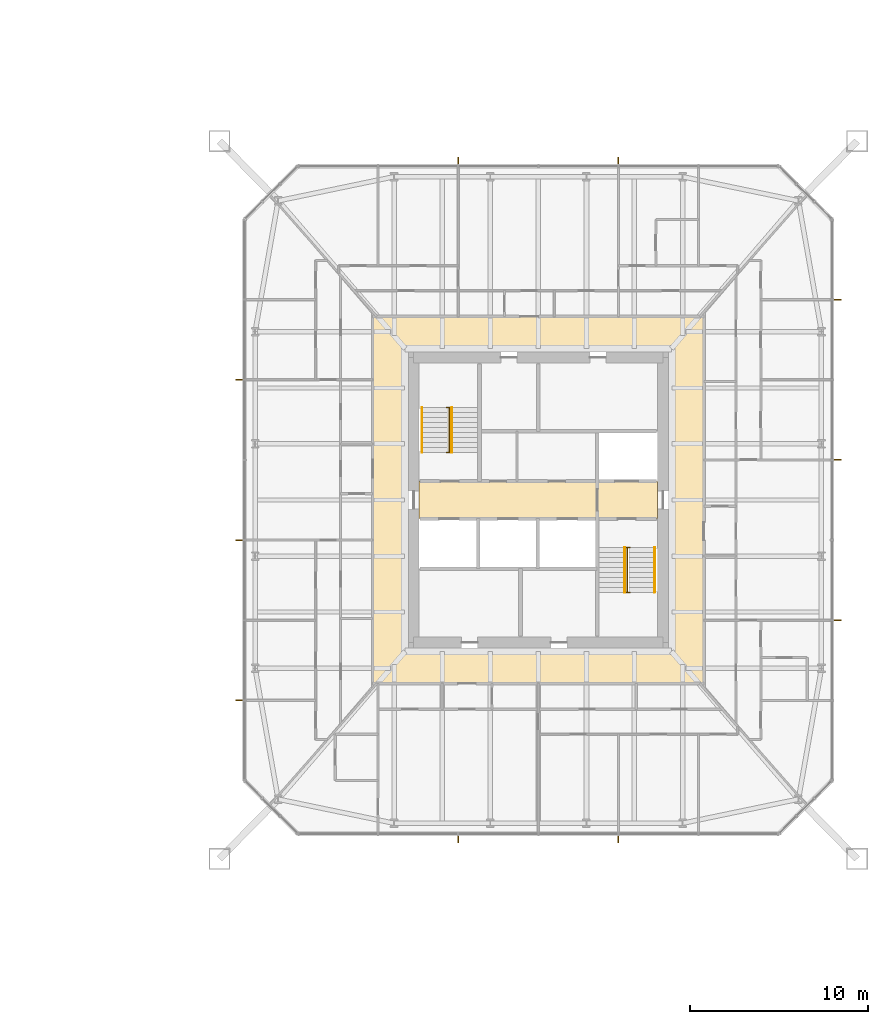
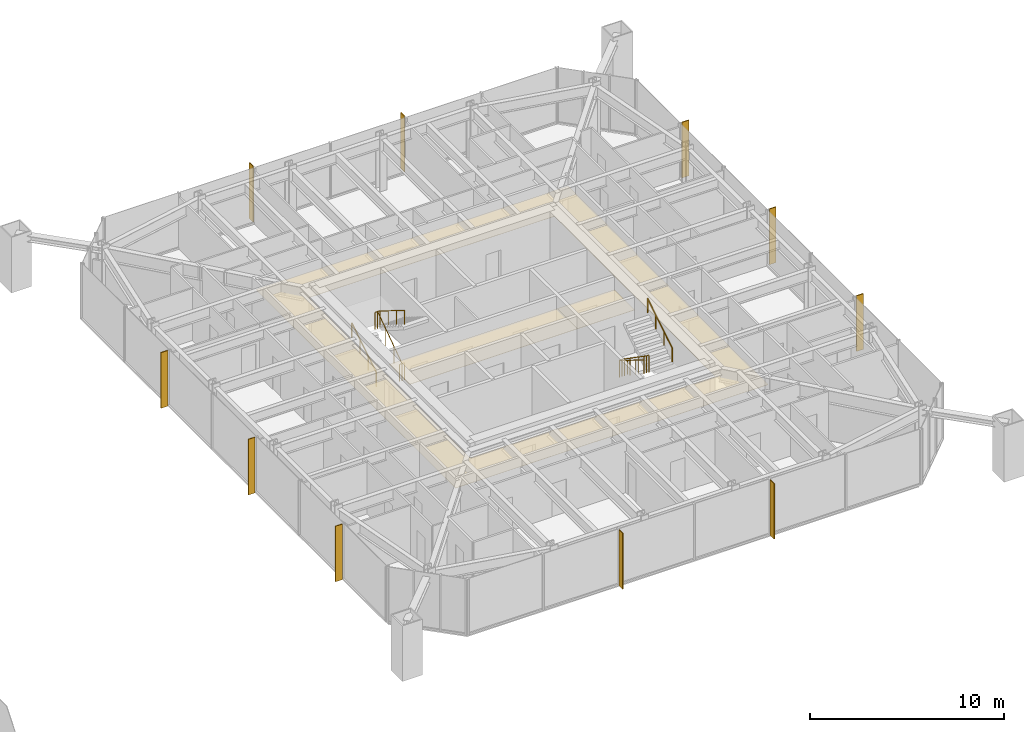
# One storey, part 26 of 26: 10 shading devices, 6 railings, 3 coverings.
"""IFC4 building model written with IfcOpenShell, lengths in metres."""

from ifc_helpers import new_model, si_unit, direction, frame, origin, origin_2d, place, context, subcontext, project, spatial, polyline, rectangle, circle, outline, extrude, material, layer, layer_set, constituent, constituent_set, type_object, element, save


model = new_model("IFC4")

# Units and contexts
model_context = context("Model", 3, precision=1e-05, world=origin(), true_north=direction((0.0, 1.0)))
body_context = subcontext(model_context, "Body", "Model", "MODEL_VIEW")
ifc_project = project(units=[si_unit("LENGTHUNIT", "METRE"), si_unit("AREAUNIT", "SQUARE_METRE"), si_unit("VOLUMEUNIT", "CUBIC_METRE"), si_unit("PLANEANGLEUNIT", "RADIAN"), si_unit("MASSUNIT", "GRAM", prefix="KILO")], contexts=[model_context])

# Site, building, storey
site_placement = place(None, origin())
site = spatial("IfcSite", under=ifc_project, at=site_placement, CompositionType="ELEMENT")
building_placement = place(site_placement, origin())
building = spatial("IfcBuilding", under=site, at=building_placement, Name="Iwan Alto Co-Living Towers", CompositionType="ELEMENT")
storey_placement = place(building_placement, frame((0.0, 0.0, 32.5)))
storey = spatial("IfcBuildingStorey", under=building, at=storey_placement, Name="L08", CompositionType="ELEMENT", Elevation=32.5)

# Coverings
ifc_material_1 = material(Name="Mineral fibre acoustic tiles on steel grid", Category="steel")
ifc_layer_1 = layer(ifc_material_1, 0.02001953125)
ifc_layer_set_1 = layer_set([ifc_layer_1], Name="ACOUSTIC TILE CEILING 20")
covering_type_1 = type_object("IfcCoveringType", Name="ACOUSTIC TILE CEILING 20", PredefinedType="CEILING", material=ifc_layer_set_1)
covering_1_placement = place(storey_placement, frame((0.0, 0.0, 2.60009765625)))
element("IfcCovering", 1, at=covering_1_placement, inside=storey, type_object=covering_type_1, Name="Ceiling Lift lobby L08", PredefinedType="CEILING", context=body_context, shape_type="SweptSolid", body=[
    extrude(outline(polyline([(56.300048828125, -1.050048828125), (56.300048828125, 1.050048828125), (66.300048828125, 1.050048828125), (66.300048828125, -1.050048828125), (56.300048828125, -1.050048828125)])), origin(), (0.0, 0.0, 1.0), 0.02001953125),
])
covering_2_placement = place(storey_placement, frame((0.0, 0.0, 2.60009765625)))
element("IfcCovering", 2, at=covering_2_placement, inside=storey, type_object=covering_type_1, Name="Ceiling Firefighting lobby L08", PredefinedType="CEILING", context=body_context, shape_type="SweptSolid", body=[
    extrude(outline(polyline([(66.300048828125, -1.050048828125), (66.300048828125, 1.050048828125), (69.699951171875, 1.050048828125), (69.699951171875, -1.050048828125), (66.300048828125, -1.050048828125)])), origin(), (0.0, 0.0, 1.0), 0.02001953125),
])

# Shading devices
ifc_material_2 = material(Name="Aluminium 6063-T6 bronze anodised", Category="aluminium")
ifc_layer_2 = layer(ifc_material_2, 0.050048828125)
ifc_layer_set_2 = layer_set([ifc_layer_2], Name="BRONZE FIN 50X400")
shading_device_type = type_object("IfcShadingDeviceType", Name="BRONZE FIN 50X400", PredefinedType="USERDEFINED", material=ifc_layer_set_2)
for number, where, z_axis, x_axis, name in (
    (3, (58.5, -19.050048828125, 0.0), (0.0, 0.0, 1.0), (1.0, 0.0, 0.0), "Bronze fin L08"),
    (4, (67.5, -19.050048828125, 0.0), (0.0, 0.0, 1.0), (1.0, 0.0, 0.0), "Bronze fin L08"),
    (5, (79.800048828125, -6.75, 0.0), (0.0, 0.0, 1.0), (0.0, 1.0, 0.0), "Bronze fin L08"),
    (6, (79.800048828125, 2.25, 0.0), (0.0, 0.0, 1.0), (0.0, 1.0, 0.0), "Bronze fin L08"),
    (7, (79.800048828125, 11.25, 0.0), (0.0, 0.0, 1.0), (0.0, 1.0, 0.0), "Bronze fin L08"),
    (8, (67.5, 19.050048828125, 0.0), (0.0, 0.0, 1.0), (-1.0, 0.0, 0.0), "Bronze fin L08"),
    (9, (58.5, 19.050048828125, 0.0), (0.0, 0.0, 1.0), (-1.0, 0.0, 0.0), "Bronze fin L08"),
    (10, (46.199951171875, 6.75, 0.0), (0.0, 0.0, 1.0), (0.0, -1.0, 0.0), "Bronze fin L08"),
    (11, (46.199951171875, -2.25, 0.0), (0.0, 0.0, 1.0), (0.0, -1.0, 0.0), "Bronze fin L08"),
    (12, (46.199951171875, -11.25, 0.0), (0.0, 0.0, 1.0), (0.0, -1.0, 0.0), "Bronze fin L08"),
):
    element("IfcShadingDevice", number, at=place(storey_placement, frame(where, z_axis=z_axis, x_axis=x_axis)), inside=storey, type_object=shading_device_type, Name=name, ObjectType="LOUVER", PredefinedType="USERDEFINED", context=body_context, shape_type="SweptSolid", body=[
        extrude(rectangle(XDim=0.050048828125, YDim=0.39990234375, at=origin_2d()), origin(), (0.0, 0.0, 1.0), 3.5),
    ])

# Railings
ifc_material_3 = material(Name="Steel ASTM A500 Gr C", Category="steel")
ifc_constituent_1 = constituent(ifc_material_3, Name="Rails and posts", Category="Framing")
ifc_material_4 = material(Name="Steel ASTM A36", Category="steel")
ifc_constituent_2 = constituent(ifc_material_4, Name="Bar infill", Category="Infill")
ifc_constituent_set = constituent_set(constituents=[ifc_constituent_1, ifc_constituent_2], Name="STAIR GUARD 1100")
railing_type_1 = type_object("IfcRailingType", Name="STAIR GUARD 1100", PredefinedType="GUARDRAIL", material=ifc_constituent_set)
railing_1_placement = place(storey_placement, frame((58.0, 2.669921875, 0.0)))
element("IfcRailing", 13, at=railing_1_placement, inside=storey, type_object=railing_type_1, Name="Stair T2-S1 well guard L08", PredefinedType="GUARDRAIL", context=body_context, shape_type="SweptSolid", body=[
    extrude(circle(Radius=0.02392578125, at=origin_2d()), frame((0.0, 0.0, 1.076171875), z_axis=(0.0, 0.821372036852, 0.570392826987), x_axis=(-1.0, 0.0, 0.0)), (0.0, 0.0, 1.0), 3.068115234375),
    extrude(circle(Radius=0.02392578125, at=origin_2d()), frame((-0.14990234375, 0.0, 1.076171875), z_axis=(1.0, 0.0, 0.0), x_axis=(0.0, 1.0, 0.0)), (0.0, 0.0, 1.0), 0.2998046875),
    extrude(circle(Radius=0.02392578125, at=origin_2d()), frame((-0.14990234375, 2.52001953125, 2.826171875), z_axis=(1.0, 0.0, 0.0), x_axis=(0.0, 1.0, 0.0)), (0.0, 0.0, 1.0), 0.2998046875),
    extrude(circle(Radius=0.02099609375, at=origin_2d()), origin(), (0.0, 0.0, 1.0), 1.052001953125),
    extrude(circle(Radius=0.02099609375, at=origin_2d()), frame((0.0, 0.840087890625, 0.583251953125)), (0.0, 0.0, 1.0), 1.052001953125),
    extrude(circle(Radius=0.02099609375, at=origin_2d()), frame((0.0, 1.679931640625, 1.166748046875)), (0.0, 0.0, 1.0), 1.052001953125),
    extrude(circle(Radius=0.02099609375, at=origin_2d()), frame((0.0, 2.52001953125, 1.75)), (0.0, 0.0, 1.0), 1.052001953125),
    extrude(circle(Radius=0.02099609375, at=origin_2d()), frame((-0.14990234375, 0.0, 0.0)), (0.0, 0.0, 1.0), 1.052001953125),
    extrude(circle(Radius=0.02099609375, at=origin_2d()), frame((0.14990234375, 0.0, 0.0)), (0.0, 0.0, 1.0), 1.052001953125),
    extrude(circle(Radius=0.02099609375, at=origin_2d()), frame((-0.14990234375, 2.52001953125, 1.75)), (0.0, 0.0, 1.0), 1.052001953125),
    extrude(circle(Radius=0.02099609375, at=origin_2d()), frame((0.14990234375, 2.52001953125, 1.75)), (0.0, 0.0, 1.0), 1.052001953125),
])
railing_2_placement = place(storey_placement, frame((68.0, -2.669921875, 0.0)))
element("IfcRailing", 14, at=railing_2_placement, inside=storey, type_object=railing_type_1, Name="Stair T2-S2 well guard L08", PredefinedType="GUARDRAIL", context=body_context, shape_type="SweptSolid", body=[
    extrude(circle(Radius=0.02392578125, at=origin_2d()), frame((0.0, 0.0, 1.076171875), z_axis=(0.0, -0.821372036852, 0.570392826987), x_axis=(1.0, 0.0, 0.0)), (0.0, 0.0, 1.0), 3.068115234375),
    extrude(circle(Radius=0.02392578125, at=origin_2d()), frame((-0.14990234375, 0.0, 1.076171875), z_axis=(1.0, 0.0, 0.0), x_axis=(0.0, 1.0, 0.0)), (0.0, 0.0, 1.0), 0.2998046875),
    extrude(circle(Radius=0.02392578125, at=origin_2d()), frame((-0.14990234375, -2.52001953125, 2.826171875), z_axis=(1.0, 0.0, 0.0), x_axis=(0.0, 1.0, 0.0)), (0.0, 0.0, 1.0), 0.2998046875),
    extrude(circle(Radius=0.02099609375, at=origin_2d()), origin(), (0.0, 0.0, 1.0), 1.052001953125),
    extrude(circle(Radius=0.02099609375, at=origin_2d()), frame((0.0, -0.840087890625, 0.583251953125)), (0.0, 0.0, 1.0), 1.052001953125),
    extrude(circle(Radius=0.02099609375, at=origin_2d()), frame((0.0, -1.679931640625, 1.166748046875)), (0.0, 0.0, 1.0), 1.052001953125),
    extrude(circle(Radius=0.02099609375, at=origin_2d()), frame((0.0, -2.52001953125, 1.75)), (0.0, 0.0, 1.0), 1.052001953125),
    extrude(circle(Radius=0.02099609375, at=origin_2d()), frame((-0.14990234375, 0.0, 0.0)), (0.0, 0.0, 1.0), 1.052001953125),
    extrude(circle(Radius=0.02099609375, at=origin_2d()), frame((0.14990234375, 0.0, 0.0)), (0.0, 0.0, 1.0), 1.052001953125),
    extrude(circle(Radius=0.02099609375, at=origin_2d()), frame((-0.14990234375, -2.52001953125, 1.75)), (0.0, 0.0, 1.0), 1.052001953125),
    extrude(circle(Radius=0.02099609375, at=origin_2d()), frame((0.14990234375, -2.52001953125, 1.75)), (0.0, 0.0, 1.0), 1.052001953125),
])
ifc_material_5 = material(Name="Steel ASTM A500 Gr C", Category="steel")
railing_type_2 = type_object("IfcRailingType", Name="STAIR HANDRAIL 900", PredefinedType="HANDRAIL", material=ifc_material_5)
railing_3_placement = place(storey_placement, frame((56.469970703125, 2.669921875, 0.175048828125)))
element("IfcRailing", 15, at=railing_3_placement, inside=storey, type_object=railing_type_2, Name="Stair T2-S1 handrail 1 L08", PredefinedType="HANDRAIL", context=body_context, shape_type="SweptSolid", body=[
    extrude(circle(Radius=0.02392578125, at=origin_2d()), frame((0.0, 0.0, 0.8759765625), z_axis=(0.0, 0.848007534815, 0.529984170421), x_axis=(-1.0, 0.0, 0.0)), (0.0, 0.0, 1.0), 2.9716796875),
    extrude(circle(Radius=0.02099609375, at=origin_2d()), origin(), (0.0, 0.0, 1.0), 0.851806640625),
    extrude(circle(Radius=0.02099609375, at=origin_2d()), frame((0.0, 0.840087890625, 0.52490234375)), (0.0, 0.0, 1.0), 0.851806640625),
    extrude(circle(Radius=0.02099609375, at=origin_2d()), frame((0.0, 1.679931640625, 1.050048828125)), (0.0, 0.0, 1.0), 0.851806640625),
    extrude(circle(Radius=0.02099609375, at=origin_2d()), frame((0.0, 2.52001953125, 1.574951171875)), (0.0, 0.0, 1.0), 0.851806640625),
])
for number, where, name in (
    (16, (58.14990234375, 5.18994140625, 1.925048828125), "Stair T2-S1 handrail 2 L08"),
    (17, (67.85009765625, -2.669921875, 0.175048828125), "Stair T2-S2 handrail 1 L08"),
):
    element("IfcRailing", number, at=place(storey_placement, frame(where)), inside=storey, type_object=railing_type_2, Name=name, PredefinedType="HANDRAIL", context=body_context, shape_type="SweptSolid", body=[
        extrude(circle(Radius=0.02392578125, at=origin_2d()), frame((0.0, 0.0, 0.8759765625), z_axis=(0.0, -0.848007534815, 0.529984170421), x_axis=(1.0, 0.0, 0.0)), (0.0, 0.0, 1.0), 2.9716796875),
        extrude(circle(Radius=0.02099609375, at=origin_2d()), origin(), (0.0, 0.0, 1.0), 0.851806640625),
        extrude(circle(Radius=0.02099609375, at=origin_2d()), frame((0.0, -0.840087890625, 0.52490234375)), (0.0, 0.0, 1.0), 0.851806640625),
        extrude(circle(Radius=0.02099609375, at=origin_2d()), frame((0.0, -1.679931640625, 1.050048828125)), (0.0, 0.0, 1.0), 0.851806640625),
        extrude(circle(Radius=0.02099609375, at=origin_2d()), frame((0.0, -2.52001953125, 1.574951171875)), (0.0, 0.0, 1.0), 0.851806640625),
    ])
railing_4_placement = place(storey_placement, frame((69.530029296875, -5.18994140625, 1.925048828125)))
element("IfcRailing", 18, at=railing_4_placement, inside=storey, type_object=railing_type_2, Name="Stair T2-S2 handrail 2 L08", PredefinedType="HANDRAIL", context=body_context, shape_type="SweptSolid", body=[
    extrude(circle(Radius=0.02392578125, at=origin_2d()), frame((0.0, 0.0, 0.8759765625), z_axis=(0.0, 0.848007534815, 0.529984170421), x_axis=(-1.0, 0.0, 0.0)), (0.0, 0.0, 1.0), 2.9716796875),
    extrude(circle(Radius=0.02099609375, at=origin_2d()), origin(), (0.0, 0.0, 1.0), 0.851806640625),
    extrude(circle(Radius=0.02099609375, at=origin_2d()), frame((0.0, 0.840087890625, 0.52490234375)), (0.0, 0.0, 1.0), 0.851806640625),
    extrude(circle(Radius=0.02099609375, at=origin_2d()), frame((0.0, 1.679931640625, 1.050048828125)), (0.0, 0.0, 1.0), 0.851806640625),
    extrude(circle(Radius=0.02099609375, at=origin_2d()), frame((0.0, 2.52001953125, 1.574951171875)), (0.0, 0.0, 1.0), 0.851806640625),
])

# Covering
ifc_material_6 = material(Name="Gypsum plasterboard on steel grid", Category="steel")
ifc_layer_3 = layer(ifc_material_6, 0.014892578125)
ifc_layer_set_3 = layer_set([ifc_layer_3], Name="SUSPENDED PLASTERBOARD CEILING 15")
covering_type_2 = type_object("IfcCoveringType", Name="SUSPENDED PLASTERBOARD CEILING 15", PredefinedType="CEILING", material=ifc_layer_set_3)
covering_3_placement = place(storey_placement, frame((0.0, 0.0, 2.60009765625)))
element("IfcCovering", 19, at=covering_3_placement, inside=storey, type_object=covering_type_2, Name="Ceiling Corridor L08", PredefinedType="CEILING", context=body_context, shape_type="SweptSolid", body=[
    extrude(outline(polyline([(53.699951171875, 10.300048828125), (72.300048828125, 10.300048828125), (72.300048828125, -10.300048828125), (53.699951171875, -10.300048828125), (53.699951171875, 10.300048828125)]), holes=[polyline([(55.699951171875, 8.300048828125), (55.699951171875, -8.300048828125), (70.300048828125, -8.300048828125), (70.300048828125, 8.300048828125), (55.699951171875, 8.300048828125)])]), origin(), (0.0, 0.0, 1.0), 0.014892578125),
])

save(model, "model.ifc")
